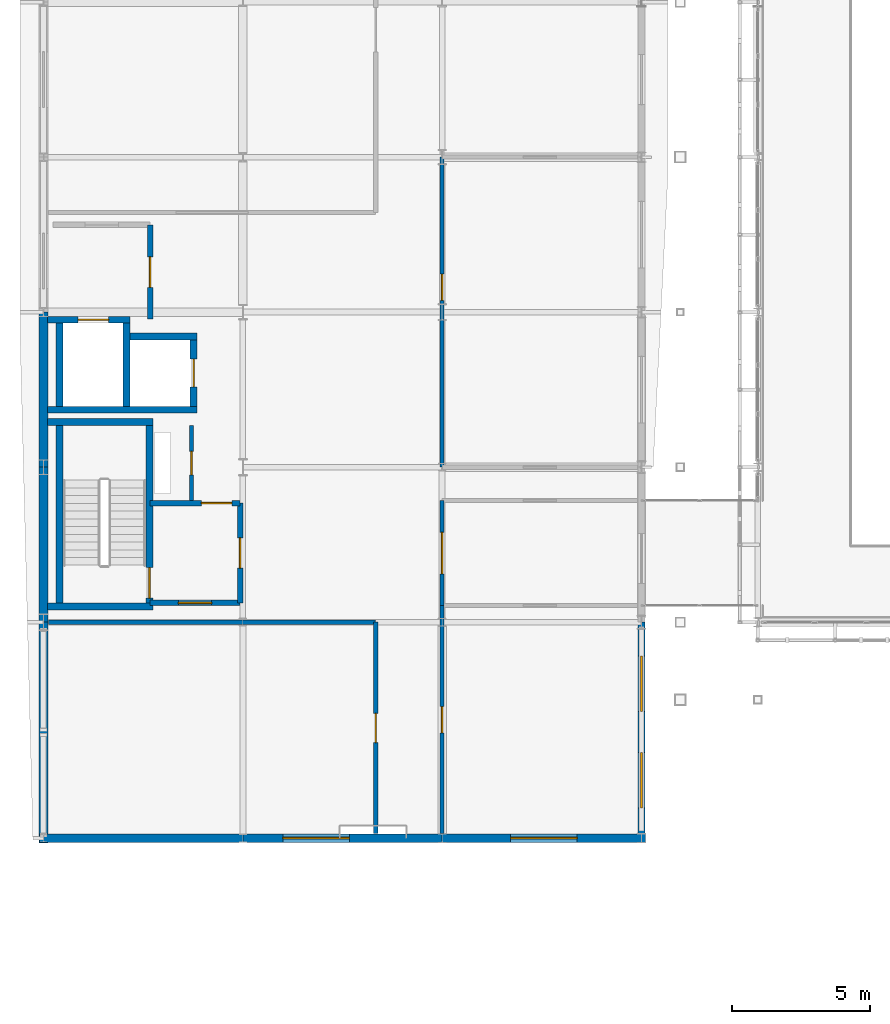
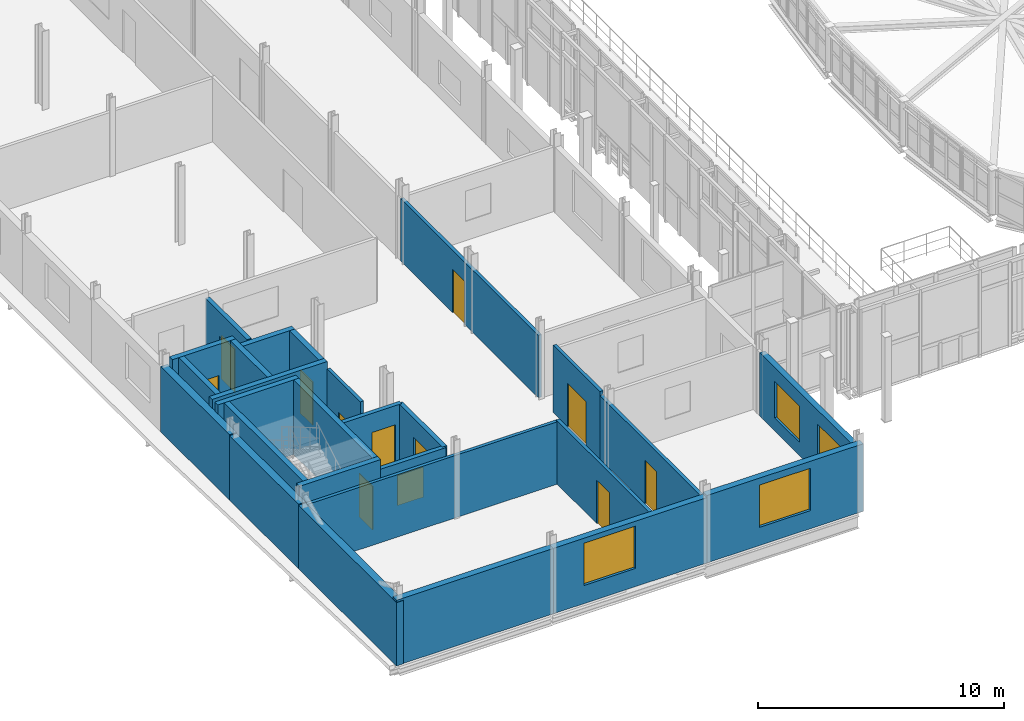
# One storey, part 61 of 78: 27 walls, 11 doors, 5 windows, 16 openings.
"""IFC4 building model written with IfcOpenShell, lengths in metres."""

from ifc_helpers import new_model, si_unit, direction, frame, frame_2d, origin, place, context, subcontext, project, spatial, rectangle, extrude, material, layer, layer_set, type_object, element, fill, save


model = new_model("IFC4")

# Units and contexts
model_context = context("Model", 3, precision=1e-05, world=origin(), true_north=direction((0.0, 1.0)))
body_context = subcontext(model_context, "Body", "Model", "MODEL_VIEW")
ifc_project = project(units=[si_unit("LENGTHUNIT", "METRE"), si_unit("AREAUNIT", "SQUARE_METRE"), si_unit("VOLUMEUNIT", "CUBIC_METRE"), si_unit("PLANEANGLEUNIT", "RADIAN"), si_unit("MASSUNIT", "GRAM", prefix="KILO")], contexts=[model_context])

# Site, building, storey
site_placement = place(None, origin())
site = spatial("IfcSite", under=ifc_project, at=site_placement, CompositionType="ELEMENT")
building_placement = place(site_placement, origin())
building = spatial("IfcBuilding", under=site, at=building_placement, Name="Vinh Khe Railworks Police Headquarters", CompositionType="ELEMENT")
storey_placement = place(building_placement, frame((0.0, 0.0, 13.199951171875)))
storey = spatial("IfcBuildingStorey", under=building, at=storey_placement, Name="L03", CompositionType="ELEMENT", Elevation=13.199951171875)

# Walls
ifc_material_1 = material(Name="Concrete C40/50 (B40)", Category="concrete")
ifc_layer_1 = layer(ifc_material_1, 0.25)
ifc_layer_set_1 = layer_set([ifc_layer_1], Name="Concrete C40/50 (B40)")
wall_type_1 = type_object("IfcWallType", Name="Core Shear Wall 250", PredefinedType="SHEAR", material=ifc_layer_set_1)
for number, where, z_axis, x_axis, name in (
    (1, (0.75, 25.77490234375, 0.0), (0.0, 0.0, 1.0), (1.0, 0.0, 0.0), "Core C1 STAIR-S Shear Wall (L03)"),
    (2, (0.75, 32.425048828125, 0.0), (0.0, 0.0, 1.0), (1.0, 0.0, 0.0), "Core C1 STAIR-N Shear Wall (L03)"),
):
    element("IfcWall", number, at=place(storey_placement, frame(where, z_axis=z_axis, x_axis=x_axis)), inside=storey, type_object=wall_type_1, Name=name, PredefinedType="SHEAR", context=body_context, shape_type="SweptSolid", body=[
        extrude(rectangle(XDim=3.800048828125, YDim=0.25, at=frame_2d((1.89990234375, 0.0))), origin(), (0.0, 0.0, 1.0), 3.699951171875),
    ])
wall_1_placement = place(storey_placement, frame((1.175048828125, 25.89990234375, 0.0), z_axis=(0.0, 0.0, 1.0), x_axis=(0.0, 1.0, 0.0)))
element("IfcWall", 3, at=wall_1_placement, inside=storey, type_object=wall_type_1, Name="Core C1 STAIR-W Shear Wall (L03)", PredefinedType="SHEAR", context=body_context, shape_type="SweptSolid", body=[
    extrude(rectangle(XDim=6.400146484375, YDim=0.25, at=frame_2d((3.2001953125, 0.0))), origin(), (0.0, 0.0, 1.0), 3.699951171875),
])

# Wall, opening, door
wall_2_placement = place(storey_placement, frame((4.425048828125, 25.89990234375, 0.0), z_axis=(0.0, 0.0, 1.0), x_axis=(0.0, 1.0, 0.0)))
wall_2 = element("IfcWall", 4, at=wall_2_placement, inside=storey, type_object=wall_type_1, Name="Core C1 STAIR-E Shear Wall (L03)", PredefinedType="SHEAR", context=body_context, shape_type="SweptSolid", body=[
    extrude(rectangle(XDim=6.400146484375, YDim=0.25, at=frame_2d((3.2001953125, 0.0))), origin(), (0.0, 0.0, 1.0), 3.699951171875),
])
opening_1_placement = place(wall_2_placement, frame((0.169921875, 0.0, 0.0)))
opening_1 = element("IfcOpeningElement", 5, at=opening_1_placement, cuts=wall_2, Name="Opening FD-01", PredefinedType="OPENING", context=body_context, shape_type="SweptSolid", body=[
    extrude(rectangle(XDim=1.10009765625, YDim=2.14990234375, at=frame_2d((0.550048828125, 1.074951171875))), frame((0.0, 0.139892578125, 0.0), z_axis=(0.0, -1.0, 0.0), x_axis=(1.0, 0.0, 0.0)), (0.0, 0.0, 1.0), 0.27978515625),
])
ifc_material_2 = material(Name="Painted galvanised steel", Category="steel")
door_type_1 = type_object("IfcDoorType", Name="FD-1100x2150", OperationType="NOTDEFINED", PredefinedType="DOOR", material=ifc_material_2)
door_1_placement = place(opening_1_placement, frame((1.10009765625, 0.0, 0.0), z_axis=(0.0, 0.0, 1.0), x_axis=(-1.0, 0.0, 0.0)))
door_1 = element("IfcDoor", 6, at=door_1_placement, inside=storey, type_object=door_type_1, Name="Escape Stair ST-01 Fire Door L03", OperationType="SINGLE_SWING_RIGHT", OverallHeight=2.14990234375, OverallWidth=1.10009765625, PredefinedType="DOOR", context=body_context, shape_type="SweptSolid", body=[
    extrude(rectangle(XDim=1.10009765625, YDim=2.14990234375, at=frame_2d((0.550048828125, 1.074951171875))), frame((0.0, 0.02490234375, 0.0), z_axis=(0.0, -1.0, 0.0), x_axis=(1.0, 0.0, 0.0)), (0.0, 0.0, 1.0), 0.050048828125),
])
fill(opening_1, door_1)

# Wall
wall_3_placement = place(storey_placement, frame((0.75, 32.875, 0.0), z_axis=(0.0, 0.0, 1.0), x_axis=(1.0, 0.0, 0.0)))
element("IfcWall", 7, at=wall_3_placement, inside=storey, type_object=wall_type_1, Name="Core C1 FL-S Lift Shaft Wall (L03)", PredefinedType="SHEAR", context=body_context, shape_type="SweptSolid", body=[
    extrude(rectangle(XDim=5.39990234375, YDim=0.25, at=frame_2d((2.699951171875, 0.0))), origin(), (0.0, 0.0, 1.0), 3.699951171875),
])

# Wall, opening, door
wall_4_placement = place(storey_placement, frame((0.75, 36.125, 0.0), z_axis=(0.0, 0.0, 1.0), x_axis=(1.0, 0.0, 0.0)))
wall_4 = element("IfcWall", 8, at=wall_4_placement, inside=storey, type_object=wall_type_1, Name="Core C1 FL-N Lift Shaft Wall (L03)", PredefinedType="SHEAR", context=body_context, shape_type="SweptSolid", body=[
    extrude(rectangle(XDim=2.97509765625, YDim=0.25, at=frame_2d((1.487548828125, 0.0))), origin(), (0.0, 0.0, 1.0), 3.699951171875),
])
opening_2_placement = place(wall_4_placement, frame((1.10009765625, 0.0, 0.0)))
opening_2 = element("IfcOpeningElement", 9, at=opening_2_placement, cuts=wall_4, Name="Opening LD-01", PredefinedType="OPENING", context=body_context, shape_type="SweptSolid", body=[
    extrude(rectangle(XDim=1.10009765625, YDim=2.14990234375, at=frame_2d((0.550048828125, 1.074951171875))), frame((0.0, 0.139892578125, 0.0), z_axis=(0.0, -1.0, 0.0), x_axis=(1.0, 0.0, 0.0)), (0.0, 0.0, 1.0), 0.27978515625),
])
door_type_2 = type_object("IfcDoorType", Name="LD-FF-1100", OperationType="SLIDING_TO_LEFT", PredefinedType="DOOR", material=ifc_material_2)
door_2_placement = place(opening_2_placement, origin())
door_2 = element("IfcDoor", 10, at=door_2_placement, inside=storey, type_object=door_type_2, Name="Firefighting Lift Landing Door FL-01 L03", OperationType="SLIDING_TO_LEFT", OverallHeight=2.14990234375, OverallWidth=1.10009765625, PredefinedType="DOOR", context=body_context, shape_type="SweptSolid", body=[
    extrude(rectangle(XDim=1.10009765625, YDim=2.14990234375, at=frame_2d((0.550048828125, 1.074951171875))), frame((0.0, 0.02490234375, 0.0), z_axis=(0.0, -1.0, 0.0), x_axis=(1.0, 0.0, 0.0)), (0.0, 0.0, 1.0), 0.050048828125),
])
fill(opening_2, door_2)

# Walls
wall_5_placement = place(storey_placement, frame((3.72509765625, 35.52490234375, 0.0), z_axis=(0.0, 0.0, 1.0), x_axis=(1.0, 0.0, 0.0)))
element("IfcWall", 11, at=wall_5_placement, inside=storey, type_object=wall_type_1, Name="Core C1 PL-N Lift Shaft Wall (L03)", PredefinedType="SHEAR", context=body_context, shape_type="SweptSolid", body=[
    extrude(rectangle(XDim=2.4248046875, YDim=0.25, at=frame_2d((1.21240234375, 0.0))), origin(), (0.0, 0.0, 1.0), 3.699951171875),
])
for number, where, z_axis, x_axis, name in (
    (12, (1.175048828125, 33.0, 0.0), (0.0, 0.0, 1.0), (0.0, 1.0, 0.0), "Core C1 FL-W Lift Shaft Wall (L03)"),
    (13, (3.60009765625, 33.0, 0.0), (0.0, 0.0, 1.0), (0.0, 1.0, 0.0), "Core C1 LIFT-DIV Lift Shaft Wall (L03)"),
):
    element("IfcWall", number, at=place(storey_placement, frame(where, z_axis=z_axis, x_axis=x_axis)), inside=storey, type_object=wall_type_1, Name=name, PredefinedType="SHEAR", context=body_context, shape_type="SweptSolid", body=[
        extrude(rectangle(XDim=3.0, YDim=0.25, at=frame_2d((1.5, 0.0))), origin(), (0.0, 0.0, 1.0), 3.699951171875),
    ])

# Wall, opening, door
wall_6_placement = place(storey_placement, frame((6.02490234375, 33.0, 0.0), z_axis=(0.0, 0.0, 1.0), x_axis=(0.0, 1.0, 0.0)))
wall_6 = element("IfcWall", 14, at=wall_6_placement, inside=storey, type_object=wall_type_1, Name="Core C1 PL-E Lift Shaft Wall (L03)", PredefinedType="SHEAR", context=body_context, shape_type="SweptSolid", body=[
    extrude(rectangle(XDim=2.39990234375, YDim=0.25, at=frame_2d((1.199951171875, 0.0))), origin(), (0.0, 0.0, 1.0), 3.699951171875),
])
opening_3_placement = place(wall_6_placement, frame((0.699951171875, 0.0, 0.0)))
opening_3 = element("IfcOpeningElement", 15, at=opening_3_placement, cuts=wall_6, Name="Opening LD-02", PredefinedType="OPENING", context=body_context, shape_type="SweptSolid", body=[
    extrude(rectangle(XDim=1.0, YDim=2.14990234375, at=frame_2d((0.5, 1.074951171875))), frame((0.0, 0.139892578125, 0.0), z_axis=(0.0, -1.0, 0.0), x_axis=(1.0, 0.0, 0.0)), (0.0, 0.0, 1.0), 0.27978515625),
])
door_type_3 = type_object("IfcDoorType", Name="LD-PAX-1000", OperationType="SLIDING_TO_RIGHT", PredefinedType="DOOR", material=ifc_material_2)
door_3_placement = place(opening_3_placement, frame((1.0, 0.0, 0.0), z_axis=(0.0, 0.0, 1.0), x_axis=(-1.0, 0.0, 0.0)))
door_3 = element("IfcDoor", 16, at=door_3_placement, inside=storey, type_object=door_type_3, Name="Passenger Lift Landing Door PL-01 L03", OperationType="SLIDING_TO_RIGHT", OverallHeight=2.14990234375, OverallWidth=1.0, PredefinedType="DOOR", context=body_context, shape_type="SweptSolid", body=[
    extrude(rectangle(XDim=1.0, YDim=2.14990234375, at=frame_2d((0.5, 1.074951171875))), frame((0.0, 0.02490234375, 0.0), z_axis=(0.0, -1.0, 0.0), x_axis=(1.0, 0.0, 0.0)), (0.0, 0.0, 1.0), 0.050048828125),
])
fill(opening_3, door_3)

# Wall, openings, windows
ifc_material_3 = material(Name="Clay brickwork", Category="masonry")
ifc_layer_2 = layer(ifc_material_3, 0.260009765625)
ifc_layer_set_2 = layer_set([ifc_layer_2], Name="Clay brickwork")
wall_type_2 = type_object("IfcWallType", Name="EW-BRK-260", PredefinedType="SOLIDWALL", material=ifc_layer_set_2)
wall_7_placement = place(storey_placement, frame((22.199951171875, 17.27001953125, 0.0), z_axis=(0.0, 0.0, 1.0), x_axis=(0.0, 1.0, 0.0)))
wall_7 = element("IfcWall", 17, at=wall_7_placement, inside=storey, type_object=wall_type_2, Name="Exterior Brick Wall EW-L03-V5E-01", PredefinedType="SOLIDWALL", context=body_context, shape_type="SweptSolid", body=[
    extrude(rectangle(XDim=7.929931640625, YDim=0.260009765625, at=frame_2d((3.96484375, 0.0))), origin(), (0.0, 0.0, 1.0), 3.14501953125),
])
opening_4_placement = place(wall_7_placement, frame((1.220458984375, 0.0, 0.64990234375)))
opening_4 = element("IfcOpeningElement", 18, at=opening_4_placement, cuts=wall_7, Name="Opening WN-04", PredefinedType="OPENING", context=body_context, shape_type="SweptSolid", body=[
    extrude(rectangle(XDim=2.0, YDim=1.800048828125, at=frame_2d((1.0, 0.89990234375))), frame((0.0, 0.14501953125, 0.0), z_axis=(0.0, -1.0, 0.0), x_axis=(1.0, 0.0, 0.0)), (0.0, 0.0, 1.0), 0.289794921875),
])
opening_5_placement = place(wall_7_placement, frame((4.709716796875, 0.0, 0.64990234375)))
opening_5 = element("IfcOpeningElement", 19, at=opening_5_placement, cuts=wall_7, Name="Opening WN-04", PredefinedType="OPENING", context=body_context, shape_type="SweptSolid", body=[
    extrude(rectangle(XDim=2.0, YDim=1.800048828125, at=frame_2d((1.0, 0.89990234375))), frame((0.0, 0.14501953125, 0.0), z_axis=(0.0, -1.0, 0.0), x_axis=(1.0, 0.0, 0.0)), (0.0, 0.0, 1.0), 0.289794921875),
])
ifc_material_4 = material(Name="Double-glazed solar-control glass in dark steel frame", Category="steel")
window_type_1 = type_object("IfcWindowType", Name="WIN-WN-04", PartitioningType="DOUBLE_PANEL_VERTICAL", PredefinedType="WINDOW", material=ifc_material_4)
window_1_placement = place(opening_4_placement, origin())
window_1 = element("IfcWindow", 20, at=window_1_placement, inside=storey, type_object=window_type_1, Name="Casement Window WN-04", OverallHeight=1.800048828125, OverallWidth=2.0, PartitioningType="SINGLE_PANEL", PredefinedType="WINDOW", context=body_context, shape_type="SweptSolid", body=[
    extrude(rectangle(XDim=2.0, YDim=1.800048828125, at=frame_2d((1.0, 0.89990234375))), frame((0.0, 0.030029296875, 0.0), z_axis=(0.0, -1.0, 0.0), x_axis=(1.0, 0.0, 0.0)), (0.0, 0.0, 1.0), 0.06005859375),
])
fill(opening_4, window_1)
window_2_placement = place(opening_5_placement, origin())
window_2 = element("IfcWindow", 21, at=window_2_placement, inside=storey, type_object=window_type_1, Name="Casement Window WN-04", OverallHeight=1.800048828125, OverallWidth=2.0, PartitioningType="SINGLE_PANEL", PredefinedType="WINDOW", context=body_context, shape_type="SweptSolid", body=[
    extrude(rectangle(XDim=2.0, YDim=1.800048828125, at=frame_2d((1.0, 0.89990234375))), frame((0.0, 0.030029296875, 0.0), z_axis=(0.0, -1.0, 0.0), x_axis=(1.0, 0.0, 0.0)), (0.0, 0.0, 1.0), 0.06005859375),
])
fill(opening_5, window_2)

# Wall
ifc_layer_3 = layer(ifc_material_3, 0.300048828125)
ifc_layer_set_3 = layer_set([ifc_layer_3], Name="Clay brickwork")
wall_type_3 = type_object("IfcWallType", Name="EW-BRK-300", PredefinedType="SOLIDWALL", material=ifc_layer_set_3)
wall_8_placement = place(storey_placement, frame((0.449951171875, 17.39990234375, 0.0), z_axis=(0.0, 0.0, 1.0), x_axis=(1.0, 0.0, 0.0)))
element("IfcWall", 22, at=wall_8_placement, inside=storey, type_object=wall_type_3, Name="Exterior Brick Wall EW-L03-V5S-01", PredefinedType="SOLIDWALL", context=body_context, shape_type="SweptSolid", body=[
    extrude(rectangle(XDim=7.35009765625, YDim=0.300048828125, at=frame_2d((3.675048828125, 0.0))), origin(), (0.0, 0.0, 1.0), 3.2451171875),
])

# Wall, opening, window
wall_9_placement = place(storey_placement, frame((7.800048828125, 17.39990234375, 0.0), z_axis=(0.0, 0.0, 1.0), x_axis=(1.0, 0.0, 0.0)))
wall_9 = element("IfcWall", 23, at=wall_9_placement, inside=storey, type_object=wall_type_3, Name="Exterior Brick Wall EW-L03-V5S-02", PredefinedType="SOLIDWALL", context=body_context, shape_type="SweptSolid", body=[
    extrude(rectangle(XDim=7.199951171875, YDim=0.300048828125, at=frame_2d((3.60009765625, 0.0))), origin(), (0.0, 0.0, 1.0), 3.2451171875),
])
opening_6_placement = place(wall_9_placement, frame((1.449951171875, 0.0, 0.89990234375)))
opening_6 = element("IfcOpeningElement", 24, at=opening_6_placement, cuts=wall_9, Name="Opening WN-02", PredefinedType="OPENING", context=body_context, shape_type="SweptSolid", body=[
    extrude(rectangle(XDim=2.39990234375, YDim=2.10009765625, at=frame_2d((1.199951171875, 1.050048828125))), frame((0.0, 0.1650390625, 0.0), z_axis=(0.0, -1.0, 0.0), x_axis=(1.0, 0.0, 0.0)), (0.0, 0.0, 1.0), 0.329833984375),
])
window_type_2 = type_object("IfcWindowType", Name="WIN-WN-02", PartitioningType="DOUBLE_PANEL_VERTICAL", PredefinedType="WINDOW", material=ifc_material_4)
window_3_placement = place(opening_6_placement, origin())
window_3 = element("IfcWindow", 25, at=window_3_placement, inside=storey, type_object=window_type_2, Name="Casement Window WN-02", OverallHeight=2.10009765625, OverallWidth=2.39990234375, PartitioningType="SINGLE_PANEL", PredefinedType="WINDOW", context=body_context, shape_type="SweptSolid", body=[
    extrude(rectangle(XDim=2.39990234375, YDim=2.10009765625, at=frame_2d((1.199951171875, 1.050048828125))), frame((0.0, 0.030029296875, 0.0), z_axis=(0.0, -1.0, 0.0), x_axis=(1.0, 0.0, 0.0)), (0.0, 0.0, 1.0), 0.06005859375),
])
fill(opening_6, window_3)

wall_10_placement = place(storey_placement, frame((15.0, 17.39990234375, 0.0), z_axis=(0.0, 0.0, 1.0), x_axis=(1.0, 0.0, 0.0)))
wall_10 = element("IfcWall", 26, at=wall_10_placement, inside=storey, type_object=wall_type_3, Name="Exterior Brick Wall EW-L03-V5S-03", PredefinedType="SOLIDWALL", context=body_context, shape_type="SweptSolid", body=[
    extrude(rectangle(XDim=7.35009765625, YDim=0.300048828125, at=frame_2d((3.675048828125, 0.0))), origin(), (0.0, 0.0, 1.0), 3.344970703125),
])
opening_7_placement = place(wall_10_placement, frame((2.47509765625, 0.0, 0.89990234375)))
opening_7 = element("IfcOpeningElement", 27, at=opening_7_placement, cuts=wall_10, Name="Opening WN-02", PredefinedType="OPENING", context=body_context, shape_type="SweptSolid", body=[
    extrude(rectangle(XDim=2.39990234375, YDim=2.10009765625, at=frame_2d((1.199951171875, 1.050048828125))), frame((0.0, 0.1650390625, 0.0), z_axis=(0.0, -1.0, 0.0), x_axis=(1.0, 0.0, 0.0)), (0.0, 0.0, 1.0), 0.329833984375),
])
window_4_placement = place(opening_7_placement, origin())
window_4 = element("IfcWindow", 28, at=window_4_placement, inside=storey, type_object=window_type_2, Name="Casement Window WN-02", OverallHeight=2.10009765625, OverallWidth=2.39990234375, PartitioningType="SINGLE_PANEL", PredefinedType="WINDOW", context=body_context, shape_type="SweptSolid", body=[
    extrude(rectangle(XDim=2.39990234375, YDim=2.10009765625, at=frame_2d((1.199951171875, 1.050048828125))), frame((0.0, 0.030029296875, 0.0), z_axis=(0.0, -1.0, 0.0), x_axis=(1.0, 0.0, 0.0)), (0.0, 0.0, 1.0), 0.06005859375),
])
fill(opening_7, window_4)

# Walls
ifc_layer_4 = layer(ifc_material_3, 0.340087890625)
ifc_layer_set_4 = layer_set([ifc_layer_4], Name="Clay brickwork")
wall_type_4 = type_object("IfcWallType", Name="EW-BRK-340", PredefinedType="SOLIDWALL", material=ifc_layer_set_4)
wall_11_placement = place(storey_placement, frame((0.60009765625, 17.22998046875, 0.0), z_axis=(0.0, 0.0, 1.0), x_axis=(0.0, 1.0, 0.0)))
element("IfcWall", 29, at=wall_11_placement, inside=storey, type_object=wall_type_4, Name="Exterior Brick Wall EW-L03-V5W-01", PredefinedType="SOLIDWALL", context=body_context, shape_type="SweptSolid", body=[
    extrude(rectangle(XDim=7.969970703125, YDim=0.340087890625, at=frame_2d((3.98486328125, 0.0))), origin(), (0.0, 0.0, 1.0), 3.14501953125),
])
wall_12_placement = place(storey_placement, frame((0.60009765625, 25.199951171875, 0.0), z_axis=(0.0, 0.0, 1.0), x_axis=(0.0, 1.0, 0.0)))
element("IfcWall", 30, at=wall_12_placement, inside=storey, type_object=wall_type_4, Name="Exterior Brick Wall EW-L03-V5W-02", PredefinedType="SOLIDWALL", context=body_context, shape_type="SweptSolid", body=[
    extrude(rectangle(XDim=5.60009765625, YDim=0.340087890625, at=frame_2d((2.800048828125, 0.0))), origin(), (0.0, 0.0, 1.0), 3.195068359375),
])
wall_13_placement = place(storey_placement, frame((0.60009765625, 30.800048828125, 0.0), z_axis=(0.0, 0.0, 1.0), x_axis=(0.0, 1.0, 0.0)))
element("IfcWall", 31, at=wall_13_placement, inside=storey, type_object=wall_type_4, Name="Exterior Brick Wall EW-L03-V5W-03", PredefinedType="SOLIDWALL", context=body_context, shape_type="SweptSolid", body=[
    extrude(rectangle(XDim=5.599853515625, YDim=0.340087890625, at=frame_2d((2.7998046875, 0.0))), origin(), (0.0, 0.0, 1.0), 3.2451171875),
])

# Wall, opening, door
ifc_material_5 = material(Name="Autoclaved aerated concrete blockwork", Category="masonry")
ifc_layer_5 = layer(ifc_material_5, 0.199951171875)
ifc_layer_set_5 = layer_set([ifc_layer_5], Name="Autoclaved aerated concrete blockwork")
wall_type_5 = type_object("IfcWallType", Name="IW-BLK-200", PredefinedType="PARTITIONING", material=ifc_layer_set_5)
wall_14_placement = place(storey_placement, frame((4.449951171875, 36.14990234375, 0.0), z_axis=(0.0, 0.0, 1.0), x_axis=(0.0, 1.0, 0.0)))
wall_14 = element("IfcWall", 32, at=wall_14_placement, inside=storey, type_object=wall_type_5, Name="Interior Partition W-FFL-C1-E-L03", PredefinedType="PARTITIONING", context=body_context, shape_type="SweptSolid", body=[
    extrude(rectangle(XDim=3.400146484375, YDim=0.199951171875, at=frame_2d((1.7001953125, 0.0))), origin(), (0.0, 0.0, 1.0), 3.344970703125),
])
opening_8_placement = place(wall_14_placement, frame((1.14990234375, 0.0, 0.0)))
opening_8 = element("IfcOpeningElement", 33, at=opening_8_placement, cuts=wall_14, Name="Opening FD-01", PredefinedType="OPENING", context=body_context, shape_type="SweptSolid", body=[
    extrude(rectangle(XDim=1.10009765625, YDim=2.14990234375, at=frame_2d((0.550048828125, 1.074951171875))), frame((0.0, 0.11474609375, 0.0), z_axis=(0.0, -1.0, 0.0), x_axis=(1.0, 0.0, 0.0)), (0.0, 0.0, 1.0), 0.229736328125),
])
door_4_placement = place(opening_8_placement, origin())
door_4 = element("IfcDoor", 34, at=door_4_placement, inside=storey, type_object=door_type_1, Name="Firefighting Lobby Exit Door", OperationType="SINGLE_SWING_LEFT", OverallHeight=2.14990234375, OverallWidth=1.10009765625, PredefinedType="DOOR", context=body_context, shape_type="SweptSolid", body=[
    extrude(rectangle(XDim=1.10009765625, YDim=2.14990234375, at=frame_2d((0.550048828125, 1.074951171875))), frame((0.0, 0.02490234375, 0.0), z_axis=(0.0, -1.0, 0.0), x_axis=(1.0, 0.0, 0.0)), (0.0, 0.0, 1.0), 0.050048828125),
])
fill(opening_8, door_4)

# Wall, opening, window
wall_15_placement = place(storey_placement, frame((4.449951171875, 25.89990234375, 0.0), z_axis=(0.0, 0.0, 1.0), x_axis=(1.0, 0.0, 0.0)))
wall_15 = element("IfcWall", 35, at=wall_15_placement, inside=storey, type_object=wall_type_5, Name="Interior Partition W-STL-C1-S-L03", PredefinedType="PARTITIONING", context=body_context, shape_type="SweptSolid", body=[
    extrude(rectangle(XDim=3.25, YDim=0.199951171875, at=frame_2d((1.625, 0.0))), origin(), (0.0, 0.0, 1.0), 3.094970703125),
])
opening_9_placement = place(wall_15_placement, frame((1.02490234375, 0.0, 0.949951171875)))
opening_9 = element("IfcOpeningElement", 36, at=opening_9_placement, cuts=wall_15, Name="Opening WN-10", PredefinedType="OPENING", context=body_context, shape_type="SweptSolid", body=[
    extrude(rectangle(XDim=1.199951171875, YDim=1.5, at=frame_2d((0.60009765625, 0.75))), frame((0.0, 0.11474609375, 0.0), z_axis=(0.0, -1.0, 0.0), x_axis=(1.0, 0.0, 0.0)), (0.0, 0.0, 1.0), 0.229736328125),
])
window_type_3 = type_object("IfcWindowType", Name="WIN-WN-10", PartitioningType="SINGLE_PANEL", PredefinedType="WINDOW", material=ifc_material_4)
window_5_placement = place(opening_9_placement, origin())
window_5 = element("IfcWindow", 37, at=window_5_placement, inside=storey, type_object=window_type_3, Name="Interior Acoustic Vision Window WN-10", OverallHeight=1.5, OverallWidth=1.199951171875, PartitioningType="SINGLE_PANEL", PredefinedType="WINDOW", context=body_context, shape_type="SweptSolid", body=[
    extrude(rectangle(XDim=1.199951171875, YDim=1.5, at=frame_2d((0.60009765625, 0.75))), frame((0.0, 0.030029296875, 0.0), z_axis=(0.0, -1.0, 0.0), x_axis=(1.0, 0.0, 0.0)), (0.0, 0.0, 1.0), 0.06005859375),
])
fill(opening_9, window_5)

# Wall, opening, door
wall_16_placement = place(storey_placement, frame((4.449951171875, 29.5, 0.0), z_axis=(0.0, 0.0, 1.0), x_axis=(1.0, 0.0, 0.0)))
wall_16 = element("IfcWall", 38, at=wall_16_placement, inside=storey, type_object=wall_type_5, Name="Interior Partition W-STL-C1-N-L03", PredefinedType="PARTITIONING", context=body_context, shape_type="SweptSolid", body=[
    extrude(rectangle(XDim=3.25, YDim=0.199951171875, at=frame_2d((1.625, 0.0))), origin(), (0.0, 0.0, 1.0), 3.094970703125),
])
opening_10_placement = place(wall_16_placement, frame((1.85009765625, 0.0, 0.0)))
opening_10 = element("IfcOpeningElement", 39, at=opening_10_placement, cuts=wall_16, Name="Opening FD-01", PredefinedType="OPENING", context=body_context, shape_type="SweptSolid", body=[
    extrude(rectangle(XDim=1.10009765625, YDim=2.14990234375, at=frame_2d((0.550048828125, 1.074951171875))), frame((0.0, 0.11474609375, 0.0), z_axis=(0.0, -1.0, 0.0), x_axis=(1.0, 0.0, 0.0)), (0.0, 0.0, 1.0), 0.229736328125),
])
door_5_placement = place(opening_10_placement, origin())
door_5 = element("IfcDoor", 40, at=door_5_placement, inside=storey, type_object=door_type_1, Name="Lift Lobby Stair Fire Door", OperationType="SINGLE_SWING_RIGHT", OverallHeight=2.14990234375, OverallWidth=1.10009765625, PredefinedType="DOOR", context=body_context, shape_type="SweptSolid", body=[
    extrude(rectangle(XDim=1.10009765625, YDim=2.14990234375, at=frame_2d((0.550048828125, 1.074951171875))), frame((0.0, 0.02490234375, 0.0), z_axis=(0.0, -1.0, 0.0), x_axis=(1.0, 0.0, 0.0)), (0.0, 0.0, 1.0), 0.050048828125),
])
fill(opening_10, door_5)

wall_17_placement = place(storey_placement, frame((7.699951171875, 25.89990234375, 0.0), z_axis=(0.0, 0.0, 1.0), x_axis=(0.0, 1.0, 0.0)))
wall_17 = element("IfcWall", 41, at=wall_17_placement, inside=storey, type_object=wall_type_5, Name="Interior Partition W-STL-C1-E-L03", PredefinedType="PARTITIONING", context=body_context, shape_type="SweptSolid", body=[
    extrude(rectangle(XDim=3.60009765625, YDim=0.199951171875, at=frame_2d((1.800048828125, 0.0))), origin(), (0.0, 0.0, 1.0), 3.094970703125),
])
opening_11_placement = place(wall_17_placement, frame((1.25, 0.0, 0.0)))
opening_11 = element("IfcOpeningElement", 42, at=opening_11_placement, cuts=wall_17, Name="Opening FD-01", PredefinedType="OPENING", context=body_context, shape_type="SweptSolid", body=[
    extrude(rectangle(XDim=1.10009765625, YDim=2.14990234375, at=frame_2d((0.550048828125, 1.074951171875))), frame((0.0, 0.11474609375, 0.0), z_axis=(0.0, -1.0, 0.0), x_axis=(1.0, 0.0, 0.0)), (0.0, 0.0, 1.0), 0.229736328125),
])
door_6_placement = place(opening_11_placement, origin())
door_6 = element("IfcDoor", 43, at=door_6_placement, inside=storey, type_object=door_type_1, Name="Stair Vestibule Fire Door", OperationType="SINGLE_SWING_LEFT", OverallHeight=2.14990234375, OverallWidth=1.10009765625, PredefinedType="DOOR", context=body_context, shape_type="SweptSolid", body=[
    extrude(rectangle(XDim=1.10009765625, YDim=2.14990234375, at=frame_2d((0.550048828125, 1.074951171875))), frame((0.0, 0.02490234375, 0.0), z_axis=(0.0, -1.0, 0.0), x_axis=(1.0, 0.0, 0.0)), (0.0, 0.0, 1.0), 0.050048828125),
])
fill(opening_11, door_6)

# Wall
ifc_material_6 = material(Name="Gypsum plasterboard on steel stud", Category="steel")
ifc_layer_6 = layer(ifc_material_6, 0.1201171875)
ifc_layer_set_6 = layer_set([ifc_layer_6], Name="Gypsum plasterboard on steel stud")
wall_type_6 = type_object("IfcWallType", Name="IW-PART-120", PredefinedType="PARTITIONING", material=ifc_layer_set_6)
wall_18_placement = place(storey_placement, frame((0.780029296875, 25.199951171875, 0.0), z_axis=(0.0, 0.0, 1.0), x_axis=(1.0, 0.0, 0.0)))
element("IfcWall", 44, at=wall_18_placement, inside=storey, type_object=wall_type_6, Name="Interior Partition W-L03-V5-INV3A-ENDN", PredefinedType="PARTITIONING", context=body_context, shape_type="SweptSolid", body=[
    extrude(rectangle(XDim=11.820068359375, YDim=0.14990234375, at=frame_2d((5.91015625, 0.0))), origin(), (0.0, 0.0, 1.0), 3.094970703125),
])

# Wall, opening, door
ifc_material_7 = material(Name="Gypsum plasterboard on acoustic steel stud", Category="steel")
ifc_layer_7 = layer(ifc_material_7, 0.14990234375)
ifc_layer_set_7 = layer_set([ifc_layer_7], Name="Gypsum plasterboard on acoustic steel stud")
wall_type_7 = type_object("IfcWallType", Name="IW-PART-150", PredefinedType="PARTITIONING", material=ifc_layer_set_7)
wall_19_placement = place(storey_placement, frame((5.949951171875, 29.60009765625, 0.0), z_axis=(0.0, 0.0, 1.0), x_axis=(0.0, 1.0, 0.0)))
wall_19 = element("IfcWall", 45, at=wall_19_placement, inside=storey, type_object=wall_type_7, Name="Interior Partition W-RSR-C1-E-L03", PredefinedType="PARTITIONING", context=body_context, shape_type="SweptSolid", body=[
    extrude(rectangle(XDim=2.699951171875, YDim=0.14990234375, at=frame_2d((1.35009765625, 0.0))), origin(), (0.0, 0.0, 1.0), 3.695068359375),
])
opening_12_placement = place(wall_19_placement, frame((0.925048828125, 0.0, 0.0)))
opening_12 = element("IfcOpeningElement", 46, at=opening_12_placement, cuts=wall_19, Name="Opening FD-04", PredefinedType="OPENING", context=body_context, shape_type="SweptSolid", body=[
    extrude(rectangle(XDim=0.85009765625, YDim=2.10009765625, at=frame_2d((0.425048828125, 1.050048828125))), frame((0.0, 0.08984375, 0.0), z_axis=(0.0, -1.0, 0.0), x_axis=(1.0, 0.0, 0.0)), (0.0, 0.0, 1.0), 0.1796875),
])
door_type_4 = type_object("IfcDoorType", Name="FD-850x2100", OperationType="NOTDEFINED", PredefinedType="DOOR", material=ifc_material_2)
door_7_placement = place(opening_12_placement, origin())
door_7 = element("IfcDoor", 47, at=door_7_placement, inside=storey, type_object=door_type_4, Name="Electrical Riser Access Door", OperationType="SINGLE_SWING_RIGHT", OverallHeight=2.10009765625, OverallWidth=0.85009765625, PredefinedType="DOOR", context=body_context, shape_type="SweptSolid", body=[
    extrude(rectangle(XDim=0.85009765625, YDim=2.10009765625, at=frame_2d((0.425048828125, 1.050048828125))), frame((0.0, 0.02490234375, 0.0), z_axis=(0.0, -1.0, 0.0), x_axis=(1.0, 0.0, 0.0)), (0.0, 0.0, 1.0), 0.050048828125),
])
fill(opening_12, door_7)

wall_20_placement = place(storey_placement, frame((12.60009765625, 17.56005859375, 0.0), z_axis=(0.0, 0.0, 1.0), x_axis=(0.0, 1.0, 0.0)))
wall_20 = element("IfcWall", 48, at=wall_20_placement, inside=storey, type_object=wall_type_7, Name="Interior Partition W-L03-V5-INV3A-CW", PredefinedType="PARTITIONING", context=body_context, shape_type="SweptSolid", body=[
    extrude(rectangle(XDim=7.639892578125, YDim=0.14990234375, at=frame_2d((3.81982421875, 0.0))), origin(), (0.0, 0.0, 1.0), 3.14501953125),
])
opening_13_placement = place(wall_20_placement, frame((3.294921875, 0.0, 0.0)))
opening_13 = element("IfcOpeningElement", 49, at=opening_13_placement, cuts=wall_20, Name="Opening D-02", PredefinedType="OPENING", context=body_context, shape_type="SweptSolid", body=[
    extrude(rectangle(XDim=1.050048828125, YDim=2.14990234375, at=frame_2d((0.52490234375, 1.074951171875))), frame((0.0, 0.08984375, 0.0), z_axis=(0.0, -1.0, 0.0), x_axis=(1.0, 0.0, 0.0)), (0.0, 0.0, 1.0), 0.1796875),
])
ifc_material_8 = material(Name="Seasoned hardwood timber", Category="wood")
door_type_5 = type_object("IfcDoorType", Name="ID-1050x2150", OperationType="NOTDEFINED", PredefinedType="DOOR", material=ifc_material_8)
door_8_placement = place(opening_13_placement, origin())
door_8 = element("IfcDoor", 50, at=door_8_placement, inside=storey, type_object=door_type_5, Name="Serious Crime Investigation Bureau A Door", OperationType="SINGLE_SWING_LEFT", OverallHeight=2.14990234375, OverallWidth=1.050048828125, PredefinedType="DOOR", context=body_context, shape_type="SweptSolid", body=[
    extrude(rectangle(XDim=1.050048828125, YDim=2.14990234375, at=frame_2d((0.52490234375, 1.074951171875))), frame((0.0, 0.02490234375, 0.0), z_axis=(0.0, -1.0, 0.0), x_axis=(1.0, 0.0, 0.0)), (0.0, 0.0, 1.0), 0.050048828125),
])
fill(opening_13, door_8)

wall_21_placement = place(storey_placement, frame((15.0, 17.56005859375, 0.0), z_axis=(0.0, 0.0, 1.0), x_axis=(0.0, 1.0, 0.0)))
wall_21 = element("IfcWall", 51, at=wall_21_placement, inside=storey, type_object=wall_type_7, Name="Interior Partition W-L03-V5-CELLO1-CE", PredefinedType="PARTITIONING", context=body_context, shape_type="SweptSolid", body=[
    extrude(rectangle(XDim=8.239990234375, YDim=0.14990234375, at=frame_2d((4.1201171875, 0.0))), origin(), (0.0, 0.0, 1.0), 3.14501953125),
])
opening_14_placement = place(wall_21_placement, frame((3.64501953125, 0.0, 0.0)))
opening_14 = element("IfcOpeningElement", 52, at=opening_14_placement, cuts=wall_21, Name="Opening D-01", PredefinedType="OPENING", context=body_context, shape_type="SweptSolid", body=[
    extrude(rectangle(XDim=0.949951171875, YDim=2.14990234375, at=frame_2d((0.47509765625, 1.074951171875))), frame((0.0, 0.08984375, 0.0), z_axis=(0.0, -1.0, 0.0), x_axis=(1.0, 0.0, 0.0)), (0.0, 0.0, 1.0), 0.1796875),
])
door_type_6 = type_object("IfcDoorType", Name="ID-950x2150", OperationType="NOTDEFINED", PredefinedType="DOOR", material=ifc_material_8)
door_9_placement = place(opening_14_placement, origin())
door_9 = element("IfcDoor", 53, at=door_9_placement, inside=storey, type_object=door_type_6, Name="Lead Investigator Office 01 Door", OperationType="SINGLE_SWING_LEFT", OverallHeight=2.14990234375, OverallWidth=0.949951171875, PredefinedType="DOOR", context=body_context, shape_type="SweptSolid", body=[
    extrude(rectangle(XDim=0.949951171875, YDim=2.14990234375, at=frame_2d((0.47509765625, 1.074951171875))), frame((0.0, 0.02490234375, 0.0), z_axis=(0.0, -1.0, 0.0), x_axis=(1.0, 0.0, 0.0)), (0.0, 0.0, 1.0), 0.050048828125),
])
fill(opening_14, door_9)

wall_22_placement = place(storey_placement, frame((15.0, 25.800048828125, 0.0), z_axis=(0.0, 0.0, 1.0), x_axis=(0.0, 1.0, 0.0)))
wall_22 = element("IfcWall", 54, at=wall_22_placement, inside=storey, type_object=wall_type_7, Name="Interior Partition W-L03-V5-GLK3-CE", PredefinedType="PARTITIONING", context=body_context, shape_type="SweptSolid", body=[
    extrude(rectangle(XDim=3.800048828125, YDim=0.14990234375, at=frame_2d((1.89990234375, 0.0))), origin(), (0.0, 0.0, 1.0), 3.344970703125),
])
opening_15_placement = place(wall_22_placement, frame((1.14990234375, 0.0, 0.0)))
opening_15 = element("IfcOpeningElement", 55, at=opening_15_placement, cuts=wall_22, Name="Opening FD-02", PredefinedType="OPENING", context=body_context, shape_type="SweptSolid", body=[
    extrude(rectangle(XDim=1.5, YDim=2.14990234375, at=frame_2d((0.75, 1.074951171875))), frame((0.0, 0.08984375, 0.0), z_axis=(0.0, -1.0, 0.0), x_axis=(1.0, 0.0, 0.0)), (0.0, 0.0, 1.0), 0.1796875),
])
door_type_7 = type_object("IfcDoorType", Name="FD-1500x2150", OperationType="DOUBLE_DOOR_SINGLE_SWING", PredefinedType="DOOR", material=ifc_material_2)
door_10_placement = place(opening_15_placement, origin())
door_10 = element("IfcDoor", 56, at=door_10_placement, inside=storey, type_object=door_type_7, Name="Skyway Atrium Link Lobby L03 Door", OperationType="DOUBLE_DOOR_SINGLE_SWING", OverallHeight=2.14990234375, OverallWidth=1.5, PredefinedType="DOOR", context=body_context, shape_type="SweptSolid", body=[
    extrude(rectangle(XDim=1.5, YDim=2.14990234375, at=frame_2d((0.75, 1.074951171875))), frame((0.0, 0.02490234375, 0.0), z_axis=(0.0, -1.0, 0.0), x_axis=(1.0, 0.0, 0.0)), (0.0, 0.0, 1.0), 0.050048828125),
])
fill(opening_15, door_10)

wall_23_placement = place(storey_placement, frame((15.0, 30.800048828125, 0.0), z_axis=(0.0, 0.0, 1.0), x_axis=(0.0, 1.0, 0.0)))
wall_23 = element("IfcWall", 57, at=wall_23_placement, inside=storey, type_object=wall_type_7, Name="Interior Partition W-L03-V5-CELLO2-CE", PredefinedType="PARTITIONING", context=body_context, shape_type="SweptSolid", body=[
    extrude(rectangle(XDim=11.199951171875, YDim=0.14990234375, at=frame_2d((5.60009765625, 0.0))), origin(), (0.0, 0.0, 1.0), 3.094970703125),
])
opening_16_placement = place(wall_23_placement, frame((6.02490234375, 0.0, 0.0)))
opening_16 = element("IfcOpeningElement", 58, at=opening_16_placement, cuts=wall_23, Name="Opening D-01", PredefinedType="OPENING", context=body_context, shape_type="SweptSolid", body=[
    extrude(rectangle(XDim=0.949951171875, YDim=2.14990234375, at=frame_2d((0.47509765625, 1.074951171875))), frame((0.0, 0.08984375, 0.0), z_axis=(0.0, -1.0, 0.0), x_axis=(1.0, 0.0, 0.0)), (0.0, 0.0, 1.0), 0.1796875),
])
door_11_placement = place(opening_16_placement, origin())
door_11 = element("IfcDoor", 59, at=door_11_placement, inside=storey, type_object=door_type_6, Name="Lead Investigator Office 02 Door", OperationType="SINGLE_SWING_RIGHT", OverallHeight=2.14990234375, OverallWidth=0.949951171875, PredefinedType="DOOR", context=body_context, shape_type="SweptSolid", body=[
    extrude(rectangle(XDim=0.949951171875, YDim=2.14990234375, at=frame_2d((0.47509765625, 1.074951171875))), frame((0.0, 0.02490234375, 0.0), z_axis=(0.0, -1.0, 0.0), x_axis=(1.0, 0.0, 0.0)), (0.0, 0.0, 1.0), 0.050048828125),
])
fill(opening_16, door_11)

save(model, "model.ifc")
